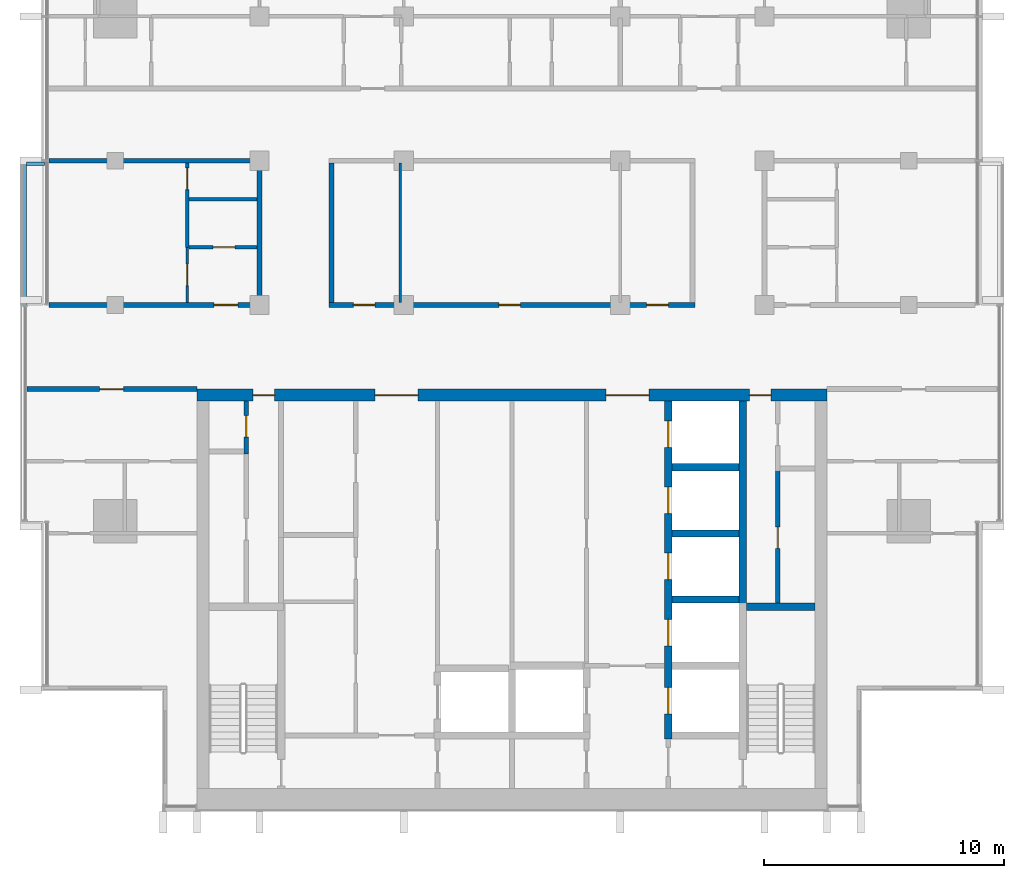
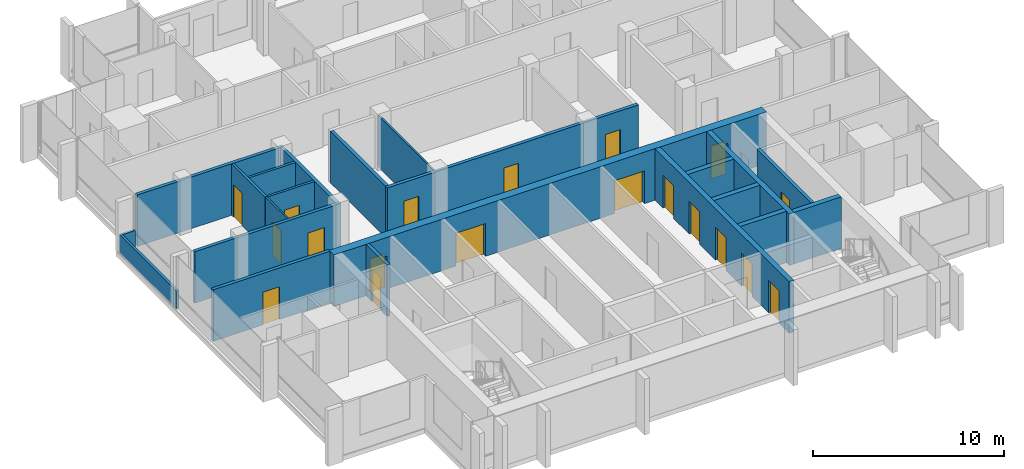
# One storey, part 8 of 16: 22 walls, 19 doors, 19 openings.
"""IFC4 building model written with IfcOpenShell, lengths in metres."""

from ifc_helpers import new_model, si_unit, direction, frame, frame_2d, origin, place, context, subcontext, project, spatial, rectangle, extrude, material, layer, layer_set, type_object, element, fill, save


model = new_model("IFC4")

# Units and contexts
model_context = context("Model", 3, precision=1e-05, world=origin(), true_north=direction((0.0, 1.0)))
body_context = subcontext(model_context, "Body", "Model", "MODEL_VIEW")
ifc_project = project(units=[si_unit("LENGTHUNIT", "METRE"), si_unit("AREAUNIT", "SQUARE_METRE"), si_unit("VOLUMEUNIT", "CUBIC_METRE"), si_unit("PLANEANGLEUNIT", "RADIAN"), si_unit("MASSUNIT", "GRAM", prefix="KILO")], contexts=[model_context])

# Site, building, storey
site_placement = place(None, origin())
site = spatial("IfcSite", under=ifc_project, at=site_placement, CompositionType="ELEMENT")
building_placement = place(site_placement, origin())
building = spatial("IfcBuilding", under=site, at=building_placement, Name="Finial Court Residences", CompositionType="ELEMENT")
storey_placement = place(building_placement, frame((0.0, 0.0, 277.10009765625)))
storey = spatial("IfcBuildingStorey", under=building, at=storey_placement, Name="L70", CompositionType="ELEMENT", Elevation=277.10009765625)

# Wall, openings, doors
ifc_material_1 = material(Name="Concrete C50/60", Category="concrete")
ifc_layer_1 = layer(ifc_material_1, 0.5)
ifc_layer_set_1 = layer_set([ifc_layer_1], Name="Core outer wall 500 Concrete C50/60")
wall_type_1 = type_object("IfcWallType", Name="Core outer wall 500 Concrete C50/60", PredefinedType="SHEAR", material=ifc_layer_set_1)
wall_1_placement = place(storey_placement, frame((-13.10009765625, -8.25, 0.0), z_axis=(0.0, 0.0, 1.0), x_axis=(1.0, 0.0, 0.0)))
wall_1 = element("IfcWall", 1, at=wall_1_placement, inside=storey, type_object=wall_type_1, Name="Core outer wall L70-02", PredefinedType="SHEAR", context=body_context, shape_type="SweptSolid", body=[
    extrude(rectangle(XDim=26.2001953125, YDim=0.5, at=frame_2d((13.10009765625, 0.0))), origin(), (0.0, 0.0, 1.0), 3.2998046875),
])
opening_1_placement = place(wall_1_placement, frame((7.39990234375, 0.0, 0.0)))
opening_1 = element("IfcOpeningElement", 2, at=opening_1_placement, cuts=wall_1, Name="Opening L70-C04", PredefinedType="OPENING", context=body_context, shape_type="SweptSolid", body=[
    extrude(rectangle(XDim=1.800048828125, YDim=2.10009765625, at=frame_2d((0.89990234375, 1.050048828125))), frame((0.0, 0.260009765625, 0.0), z_axis=(0.0, -1.0, 0.0), x_axis=(1.0, 0.0, 0.0)), (0.0, 0.0, 1.0), 0.52001953125),
])
opening_2_placement = place(wall_1_placement, frame((17.0, 0.0, 0.0)))
opening_2 = element("IfcOpeningElement", 3, at=opening_2_placement, cuts=wall_1, Name="Opening L70-C05", PredefinedType="OPENING", context=body_context, shape_type="SweptSolid", body=[
    extrude(rectangle(XDim=1.800048828125, YDim=2.10009765625, at=frame_2d((0.89990234375, 1.050048828125))), frame((0.0, 0.260009765625, 0.0), z_axis=(0.0, -1.0, 0.0), x_axis=(1.0, 0.0, 0.0)), (0.0, 0.0, 1.0), 0.52001953125),
])
opening_3_placement = place(wall_1_placement, frame((2.324951171875, 0.0, 0.0)))
opening_3 = element("IfcOpeningElement", 4, at=opening_3_placement, cuts=wall_1, Name="Opening L70-C10", PredefinedType="OPENING", context=body_context, shape_type="SweptSolid", body=[
    extrude(rectangle(XDim=0.89990234375, YDim=2.10009765625, at=frame_2d((0.449951171875, 1.050048828125))), frame((0.0, 0.260009765625, 0.0), z_axis=(0.0, -1.0, 0.0), x_axis=(1.0, 0.0, 0.0)), (0.0, 0.0, 1.0), 0.52001953125),
])
opening_4_placement = place(wall_1_placement, frame((22.97509765625, 0.0, 0.0)))
opening_4 = element("IfcOpeningElement", 5, at=opening_4_placement, cuts=wall_1, Name="Opening L70-C11", PredefinedType="OPENING", context=body_context, shape_type="SweptSolid", body=[
    extrude(rectangle(XDim=0.89990234375, YDim=2.10009765625, at=frame_2d((0.449951171875, 1.050048828125))), frame((0.0, 0.260009765625, 0.0), z_axis=(0.0, -1.0, 0.0), x_axis=(1.0, 0.0, 0.0)), (0.0, 0.0, 1.0), 0.52001953125),
])
ifc_material_2 = material(Name="Steel fire door", Category="steel")
door_type_1 = type_object("IfcDoorType", Name="Lift lobby door 1800 x 2100 EI 60", OperationType="DOUBLE_DOOR_SINGLE_SWING", PredefinedType="DOOR", material=ifc_material_2)
door_1_placement = place(opening_1_placement, origin())
door_1 = element("IfcDoor", 6, at=door_1_placement, inside=storey, type_object=door_type_1, Name="Lift lobby door L70-C04", OperationType="DOUBLE_DOOR_SINGLE_SWING", OverallHeight=2.10009765625, OverallWidth=1.800048828125, PredefinedType="DOOR", context=body_context, shape_type="SweptSolid", body=[
    extrude(rectangle(XDim=1.800048828125, YDim=2.10009765625, at=frame_2d((0.89990234375, 1.050048828125))), frame((0.0, 0.02490234375, 0.0), z_axis=(0.0, -1.0, 0.0), x_axis=(1.0, 0.0, 0.0)), (0.0, 0.0, 1.0), 0.050048828125),
])
fill(opening_1, door_1)
door_2_placement = place(opening_2_placement, origin())
door_2 = element("IfcDoor", 7, at=door_2_placement, inside=storey, type_object=door_type_1, Name="Lift lobby door L70-C05", OperationType="DOUBLE_DOOR_SINGLE_SWING", OverallHeight=2.10009765625, OverallWidth=1.800048828125, PredefinedType="DOOR", context=body_context, shape_type="SweptSolid", body=[
    extrude(rectangle(XDim=1.800048828125, YDim=2.10009765625, at=frame_2d((0.89990234375, 1.050048828125))), frame((0.0, 0.02490234375, 0.0), z_axis=(0.0, -1.0, 0.0), x_axis=(1.0, 0.0, 0.0)), (0.0, 0.0, 1.0), 0.050048828125),
])
fill(opening_2, door_2)
door_type_2 = type_object("IfcDoorType", Name="Riser room door 900 x 2100 EI 90", OperationType="NOTDEFINED", PredefinedType="DOOR", material=ifc_material_2)
door_3_placement = place(opening_3_placement, origin())
door_3 = element("IfcDoor", 8, at=door_3_placement, inside=storey, type_object=door_type_2, Name="Riser room door L70-C10", OperationType="SINGLE_SWING_RIGHT", OverallHeight=2.10009765625, OverallWidth=0.89990234375, PredefinedType="DOOR", context=body_context, shape_type="SweptSolid", body=[
    extrude(rectangle(XDim=0.89990234375, YDim=2.10009765625, at=frame_2d((0.449951171875, 1.050048828125))), frame((0.0, 0.02490234375, 0.0), z_axis=(0.0, -1.0, 0.0), x_axis=(1.0, 0.0, 0.0)), (0.0, 0.0, 1.0), 0.050048828125),
])
fill(opening_3, door_3)
door_4_placement = place(opening_4_placement, origin())
door_4 = element("IfcDoor", 9, at=door_4_placement, inside=storey, type_object=door_type_2, Name="Riser room door L70-C11", OperationType="SINGLE_SWING_LEFT", OverallHeight=2.10009765625, OverallWidth=0.89990234375, PredefinedType="DOOR", context=body_context, shape_type="SweptSolid", body=[
    extrude(rectangle(XDim=0.89990234375, YDim=2.10009765625, at=frame_2d((0.449951171875, 1.050048828125))), frame((0.0, 0.02490234375, 0.0), z_axis=(0.0, -1.0, 0.0), x_axis=(1.0, 0.0, 0.0)), (0.0, 0.0, 1.0), 0.050048828125),
])
fill(opening_4, door_4)

# Wall, opening, door
ifc_material_3 = material(Name="Gypsum board")
ifc_layer_2 = layer(ifc_material_3, 0.02490234375)
ifc_material_4 = material(Name="Acoustic mineral wool in double frame")
ifc_layer_3 = layer(ifc_material_4, 0.14990234375)
ifc_layer_4 = layer(ifc_material_3, 0.02490234375)
ifc_layer_set_2 = layer_set([ifc_layer_2, ifc_layer_3, ifc_layer_4], Name="Corridor wall 200, 1 hour")
wall_type_2 = type_object("IfcWallType", Name="Corridor wall 200, 1 hour", PredefinedType="PARTITIONING", material=ifc_layer_set_2)
wall_2_placement = place(storey_placement, frame((-20.16259765625, -8.0, 0.0), z_axis=(0.0, 0.0, 1.0), x_axis=(1.0, 0.0, 0.0)))
wall_2 = element("IfcWall", 10, at=wall_2_placement, inside=storey, type_object=wall_type_2, Name="Partition L70-004", PredefinedType="PARTITIONING", context=body_context, shape_type="SweptSolid", body=[
    extrude(rectangle(XDim=7.0625, YDim=0.199951171875, at=frame_2d((3.53125, 0.0))), origin(), (0.0, 0.0, 1.0), 3.2998046875),
])
opening_5_placement = place(wall_2_placement, frame((3.012939453125, 0.0, 0.0)))
opening_5 = element("IfcOpeningElement", 11, at=opening_5_placement, cuts=wall_2, Name="Opening L70-D007", PredefinedType="OPENING", context=body_context, shape_type="SweptSolid", body=[
    extrude(rectangle(XDim=1.0, YDim=2.10009765625, at=frame_2d((0.5, 1.050048828125))), frame((0.0, 0.10986328125, 0.0), z_axis=(0.0, -1.0, 0.0), x_axis=(1.0, 0.0, 0.0)), (0.0, 0.0, 1.0), 0.219970703125),
])
ifc_material_5 = material(Name="Timber door leaf in hollow metal frame", Category="wood")
door_type_3 = type_object("IfcDoorType", Name="Fire door set 1000 x 2100, 30 minutes", OperationType="SINGLE_SWING_LEFT", PredefinedType="DOOR", material=ifc_material_5)
door_5_placement = place(opening_5_placement, origin())
door_5 = element("IfcDoor", 12, at=door_5_placement, inside=storey, type_object=door_type_3, Name="Door L70-D007", OperationType="SINGLE_SWING_RIGHT", OverallHeight=2.10009765625, OverallWidth=1.0, PredefinedType="DOOR", context=body_context, shape_type="SweptSolid", body=[
    extrude(rectangle(XDim=1.0, YDim=2.10009765625, at=frame_2d((0.5, 1.050048828125))), frame((0.0, 0.02490234375, 0.0), z_axis=(0.0, -1.0, 0.0), x_axis=(1.0, 0.0, 0.0)), (0.0, 0.0, 1.0), 0.050048828125),
])
fill(opening_5, door_5)

wall_3_placement = place(storey_placement, frame((-19.262451171875, -4.5, 0.0), z_axis=(0.0, 0.0, 1.0), x_axis=(1.0, 0.0, 0.0)))
wall_3 = element("IfcWall", 13, at=wall_3_placement, inside=storey, type_object=wall_type_2, Name="Partition L70-006", PredefinedType="PARTITIONING", context=body_context, shape_type="SweptSolid", body=[
    extrude(rectangle(XDim=8.862548828125, YDim=0.199951171875, at=frame_2d((4.43115234375, 0.0))), origin(), (0.0, 0.0, 1.0), 3.2998046875),
])
opening_6_placement = place(wall_3_placement, frame((6.862060546875, 0.0, 0.0)))
opening_6 = element("IfcOpeningElement", 14, at=opening_6_placement, cuts=wall_3, Name="Opening L70-D009", PredefinedType="OPENING", context=body_context, shape_type="SweptSolid", body=[
    extrude(rectangle(XDim=1.0, YDim=2.10009765625, at=frame_2d((0.5, 1.050048828125))), frame((0.0, 0.10986328125, 0.0), z_axis=(0.0, -1.0, 0.0), x_axis=(1.0, 0.0, 0.0)), (0.0, 0.0, 1.0), 0.219970703125),
])
door_6_placement = place(opening_6_placement, origin())
door_6 = element("IfcDoor", 15, at=door_6_placement, inside=storey, type_object=door_type_3, Name="Door L70-D009", OperationType="SINGLE_SWING_LEFT", OverallHeight=2.10009765625, OverallWidth=1.0, PredefinedType="DOOR", context=body_context, shape_type="SweptSolid", body=[
    extrude(rectangle(XDim=1.0, YDim=2.10009765625, at=frame_2d((0.5, 1.050048828125))), frame((0.0, 0.02490234375, 0.0), z_axis=(0.0, -1.0, 0.0), x_axis=(1.0, 0.0, 0.0)), (0.0, 0.0, 1.0), 0.050048828125),
])
fill(opening_6, door_6)

# Wall, openings, doors
wall_4_placement = place(storey_placement, frame((-7.60009765625, -4.5, 0.0), z_axis=(0.0, 0.0, 1.0), x_axis=(1.0, 0.0, 0.0)))
wall_4 = element("IfcWall", 16, at=wall_4_placement, inside=storey, type_object=wall_type_2, Name="Partition L70-007", PredefinedType="PARTITIONING", context=body_context, shape_type="SweptSolid", body=[
    extrude(rectangle(XDim=15.2001953125, YDim=0.199951171875, at=frame_2d((7.60009765625, 0.0))), origin(), (0.0, 0.0, 1.0), 3.2998046875),
])
opening_7_placement = place(wall_4_placement, frame((1.0, 0.0, 0.0)))
opening_7 = element("IfcOpeningElement", 17, at=opening_7_placement, cuts=wall_4, Name="Opening L70-D010", PredefinedType="OPENING", context=body_context, shape_type="SweptSolid", body=[
    extrude(rectangle(XDim=0.89990234375, YDim=2.10009765625, at=frame_2d((0.449951171875, 1.050048828125))), frame((0.0, 0.10986328125, 0.0), z_axis=(0.0, -1.0, 0.0), x_axis=(1.0, 0.0, 0.0)), (0.0, 0.0, 1.0), 0.219970703125),
])
opening_8_placement = place(wall_4_placement, frame((7.050048828125, 0.0, 0.0)))
opening_8 = element("IfcOpeningElement", 18, at=opening_8_placement, cuts=wall_4, Name="Opening L70-D011", PredefinedType="OPENING", context=body_context, shape_type="SweptSolid", body=[
    extrude(rectangle(XDim=0.89990234375, YDim=2.10009765625, at=frame_2d((0.449951171875, 1.050048828125))), frame((0.0, 0.10986328125, 0.0), z_axis=(0.0, -1.0, 0.0), x_axis=(1.0, 0.0, 0.0)), (0.0, 0.0, 1.0), 0.219970703125),
])
opening_9_placement = place(wall_4_placement, frame((13.199951171875, 0.0, 0.0)))
opening_9 = element("IfcOpeningElement", 19, at=opening_9_placement, cuts=wall_4, Name="Opening L70-D012", PredefinedType="OPENING", context=body_context, shape_type="SweptSolid", body=[
    extrude(rectangle(XDim=0.89990234375, YDim=2.10009765625, at=frame_2d((0.449951171875, 1.050048828125))), frame((0.0, 0.10986328125, 0.0), z_axis=(0.0, -1.0, 0.0), x_axis=(1.0, 0.0, 0.0)), (0.0, 0.0, 1.0), 0.219970703125),
])
door_type_4 = type_object("IfcDoorType", Name="Fire door set 900 x 2100, 30 minutes", OperationType="SINGLE_SWING_LEFT", PredefinedType="DOOR", material=ifc_material_5)
door_7_placement = place(opening_7_placement, origin())
door_7 = element("IfcDoor", 20, at=door_7_placement, inside=storey, type_object=door_type_4, Name="Door L70-D010", OperationType="SINGLE_SWING_RIGHT", OverallHeight=2.10009765625, OverallWidth=0.89990234375, PredefinedType="DOOR", context=body_context, shape_type="SweptSolid", body=[
    extrude(rectangle(XDim=0.89990234375, YDim=2.10009765625, at=frame_2d((0.449951171875, 1.050048828125))), frame((0.0, 0.02490234375, 0.0), z_axis=(0.0, -1.0, 0.0), x_axis=(1.0, 0.0, 0.0)), (0.0, 0.0, 1.0), 0.050048828125),
])
fill(opening_7, door_7)
door_8_placement = place(opening_8_placement, origin())
door_8 = element("IfcDoor", 21, at=door_8_placement, inside=storey, type_object=door_type_4, Name="Door L70-D011", OperationType="SINGLE_SWING_RIGHT", OverallHeight=2.10009765625, OverallWidth=0.89990234375, PredefinedType="DOOR", context=body_context, shape_type="SweptSolid", body=[
    extrude(rectangle(XDim=0.89990234375, YDim=2.10009765625, at=frame_2d((0.449951171875, 1.050048828125))), frame((0.0, 0.02490234375, 0.0), z_axis=(0.0, -1.0, 0.0), x_axis=(1.0, 0.0, 0.0)), (0.0, 0.0, 1.0), 0.050048828125),
])
fill(opening_8, door_8)
door_9_placement = place(opening_9_placement, origin())
door_9 = element("IfcDoor", 22, at=door_9_placement, inside=storey, type_object=door_type_4, Name="Door L70-D012", OperationType="SINGLE_SWING_LEFT", OverallHeight=2.10009765625, OverallWidth=0.89990234375, PredefinedType="DOOR", context=body_context, shape_type="SweptSolid", body=[
    extrude(rectangle(XDim=0.89990234375, YDim=2.10009765625, at=frame_2d((0.449951171875, 1.050048828125))), frame((0.0, 0.02490234375, 0.0), z_axis=(0.0, -1.0, 0.0), x_axis=(1.0, 0.0, 0.0)), (0.0, 0.0, 1.0), 0.050048828125),
])
fill(opening_9, door_9)

# Walls
wall_5_placement = place(storey_placement, frame((-19.262451171875, 1.5, 0.0), z_axis=(0.0, 0.0, 1.0), x_axis=(1.0, 0.0, 0.0)))
element("IfcWall", 23, at=wall_5_placement, inside=storey, type_object=wall_type_2, Name="Partition L70-013", PredefinedType="PARTITIONING", context=body_context, shape_type="SweptSolid", body=[
    extrude(rectangle(XDim=8.862548828125, YDim=0.199951171875, at=frame_2d((4.43115234375, 0.0))), origin(), (0.0, 0.0, 1.0), 3.2998046875),
])
for number, where, z_axis, x_axis, name in (
    (24, (-10.5, -4.39990234375, 0.0), (0.0, 0.0, 1.0), (0.0, 1.0, 0.0), "Partition L70-035"),
    (25, (-7.5, -4.39990234375, 0.0), (0.0, 0.0, 1.0), (0.0, 1.0, 0.0), "Partition L70-037"),
):
    element("IfcWall", number, at=place(storey_placement, frame(where, z_axis=z_axis, x_axis=x_axis)), inside=storey, type_object=wall_type_2, Name=name, PredefinedType="PARTITIONING", context=body_context, shape_type="SweptSolid", body=[
        extrude(rectangle(XDim=5.7998046875, YDim=0.199951171875, at=frame_2d((2.89990234375, 0.0))), origin(), (0.0, 0.0, 1.0), 3.2998046875),
    ])

# Wall, opening, door
ifc_layer_5 = layer(ifc_material_3, 0.012451171875)
ifc_material_6 = material(Name="Mineral wool in light-gauge frame")
ifc_layer_6 = layer(ifc_material_6, 0.074951171875)
ifc_layer_7 = layer(ifc_material_3, 0.012451171875)
ifc_layer_set_3 = layer_set([ifc_layer_5, ifc_layer_6, ifc_layer_7], Name="Gypsum board partition 100")
wall_type_3 = type_object("IfcWallType", Name="Gypsum board partition 100", PredefinedType="PARTITIONING", material=ifc_layer_set_3)
wall_6_placement = place(storey_placement, frame((-13.5, -4.39990234375, 0.0), z_axis=(0.0, 0.0, 1.0), x_axis=(0.0, 1.0, 0.0)))
wall_6 = element("IfcWall", 26, at=wall_6_placement, inside=storey, type_object=wall_type_3, Name="Partition L70-033", PredefinedType="PARTITIONING", context=body_context, shape_type="SweptSolid", body=[
    extrude(rectangle(XDim=2.2998046875, YDim=0.10009765625, at=frame_2d((1.14990234375, 0.0))), origin(), (0.0, 0.0, 1.0), 3.2998046875),
])
opening_10_placement = place(wall_6_placement, frame((0.699951171875, 0.0, 0.0)))
opening_10 = element("IfcOpeningElement", 27, at=opening_10_placement, cuts=wall_6, Name="Opening L70-D026", PredefinedType="OPENING", context=body_context, shape_type="SweptSolid", body=[
    extrude(rectangle(XDim=0.89990234375, YDim=2.10009765625, at=frame_2d((0.449951171875, 1.050048828125))), frame((0.0, 0.06005859375, 0.0), z_axis=(0.0, -1.0, 0.0), x_axis=(1.0, 0.0, 0.0)), (0.0, 0.0, 1.0), 0.1201171875),
])
ifc_material_7 = material(Name="Timber door leaf in timber frame", Category="wood")
door_type_5 = type_object("IfcDoorType", Name="Door set 900 x 2100", OperationType="SINGLE_SWING_LEFT", PredefinedType="DOOR", material=ifc_material_7)
door_10_placement = place(opening_10_placement, origin())
door_10 = element("IfcDoor", 28, at=door_10_placement, inside=storey, type_object=door_type_5, Name="Door L70-D026", OperationType="SINGLE_SWING_LEFT", OverallHeight=2.10009765625, OverallWidth=0.89990234375, PredefinedType="DOOR", context=body_context, shape_type="SweptSolid", body=[
    extrude(rectangle(XDim=0.89990234375, YDim=2.10009765625, at=frame_2d((0.449951171875, 1.050048828125))), frame((0.0, 0.02490234375, 0.0), z_axis=(0.0, -1.0, 0.0), x_axis=(1.0, 0.0, 0.0)), (0.0, 0.0, 1.0), 0.050048828125),
])
fill(opening_10, door_10)

# Wall
wall_7_placement = place(storey_placement, frame((-4.64990234375, -4.39990234375, 0.0), z_axis=(0.0, 0.0, 1.0), x_axis=(0.0, 1.0, 0.0)))
element("IfcWall", 29, at=wall_7_placement, inside=storey, type_object=wall_type_3, Name="Partition L70-039", PredefinedType="PARTITIONING", context=body_context, shape_type="SweptSolid", body=[
    extrude(rectangle(XDim=5.7998046875, YDim=0.10009765625, at=frame_2d((2.89990234375, 0.0))), origin(), (0.0, 0.0, 1.0), 3.2998046875),
])

# Wall, opening, door
ifc_material_8 = material(Name="Moisture-resistant gypsum board")
ifc_layer_8 = layer(ifc_material_8, 0.012451171875)
ifc_layer_9 = layer(ifc_material_6, 0.125)
ifc_layer_10 = layer(ifc_material_8, 0.012451171875)
ifc_layer_set_4 = layer_set([ifc_layer_8, ifc_layer_9, ifc_layer_10], Name="Gypsum board wet-area partition 150")
wall_type_4 = type_object("IfcWallType", Name="Gypsum board wet-area partition 150", PredefinedType="PARTITIONING", material=ifc_layer_set_4)
wall_8_placement = place(storey_placement, frame((-13.425048828125, -2.10009765625, 0.0), z_axis=(0.0, 0.0, 1.0), x_axis=(1.0, 0.0, 0.0)))
wall_8 = element("IfcWall", 30, at=wall_8_placement, inside=storey, type_object=wall_type_4, Name="Partition L70-009", PredefinedType="PARTITIONING", context=body_context, shape_type="SweptSolid", body=[
    extrude(rectangle(XDim=2.824951171875, YDim=0.14990234375, at=frame_2d((1.41259765625, 0.0))), origin(), (0.0, 0.0, 1.0), 3.2998046875),
])
opening_11_placement = place(wall_8_placement, frame((1.0, 0.0, 0.0)))
opening_11 = element("IfcOpeningElement", 31, at=opening_11_placement, cuts=wall_8, Name="Opening L70-D014", PredefinedType="OPENING", context=body_context, shape_type="SweptSolid", body=[
    extrude(rectangle(XDim=0.89990234375, YDim=2.10009765625, at=frame_2d((0.449951171875, 1.050048828125))), frame((0.0, 0.0849609375, 0.0), z_axis=(0.0, -1.0, 0.0), x_axis=(1.0, 0.0, 0.0)), (0.0, 0.0, 1.0), 0.169921875),
])
door_11_placement = place(opening_11_placement, origin())
door_11 = element("IfcDoor", 32, at=door_11_placement, inside=storey, type_object=door_type_5, Name="Door L70-D014", OperationType="SINGLE_SWING_RIGHT", OverallHeight=2.10009765625, OverallWidth=0.89990234375, PredefinedType="DOOR", context=body_context, shape_type="SweptSolid", body=[
    extrude(rectangle(XDim=0.89990234375, YDim=2.10009765625, at=frame_2d((0.449951171875, 1.050048828125))), frame((0.0, 0.02490234375, 0.0), z_axis=(0.0, -1.0, 0.0), x_axis=(1.0, 0.0, 0.0)), (0.0, 0.0, 1.0), 0.050048828125),
])
fill(opening_11, door_11)

# Wall
wall_9_placement = place(storey_placement, frame((-13.425048828125, -0.10009765625, 0.0), z_axis=(0.0, 0.0, 1.0), x_axis=(1.0, 0.0, 0.0)))
element("IfcWall", 33, at=wall_9_placement, inside=storey, type_object=wall_type_4, Name="Partition L70-011", PredefinedType="PARTITIONING", context=body_context, shape_type="SweptSolid", body=[
    extrude(rectangle(XDim=2.824951171875, YDim=0.14990234375, at=frame_2d((1.41259765625, 0.0))), origin(), (0.0, 0.0, 1.0), 3.2998046875),
])

# Wall, opening, door
wall_10_placement = place(storey_placement, frame((-13.5, -2.10009765625, 0.0), z_axis=(0.0, 0.0, 1.0), x_axis=(0.0, 1.0, 0.0)))
wall_10 = element("IfcWall", 34, at=wall_10_placement, inside=storey, type_object=wall_type_4, Name="Partition L70-034", PredefinedType="PARTITIONING", context=body_context, shape_type="SweptSolid", body=[
    extrude(rectangle(XDim=3.5, YDim=0.14990234375, at=frame_2d((1.75, 0.0))), origin(), (0.0, 0.0, 1.0), 3.2998046875),
])
opening_12_placement = place(wall_10_placement, frame((2.39990234375, 0.0, 0.0)))
opening_12 = element("IfcOpeningElement", 35, at=opening_12_placement, cuts=wall_10, Name="Opening L70-D027", PredefinedType="OPENING", context=body_context, shape_type="SweptSolid", body=[
    extrude(rectangle(XDim=0.89990234375, YDim=2.10009765625, at=frame_2d((0.449951171875, 1.050048828125))), frame((0.0, 0.0849609375, 0.0), z_axis=(0.0, -1.0, 0.0), x_axis=(1.0, 0.0, 0.0)), (0.0, 0.0, 1.0), 0.169921875),
])
door_12_placement = place(opening_12_placement, origin())
door_12 = element("IfcDoor", 36, at=door_12_placement, inside=storey, type_object=door_type_5, Name="Door L70-D027", OperationType="SINGLE_SWING_RIGHT", OverallHeight=2.10009765625, OverallWidth=0.89990234375, PredefinedType="DOOR", context=body_context, shape_type="SweptSolid", body=[
    extrude(rectangle(XDim=0.89990234375, YDim=2.10009765625, at=frame_2d((0.449951171875, 1.050048828125))), frame((0.0, 0.02490234375, 0.0), z_axis=(0.0, -1.0, 0.0), x_axis=(1.0, 0.0, 0.0)), (0.0, 0.0, 1.0), 0.050048828125),
])
fill(opening_12, door_12)

# Walls
ifc_material_9 = material(Name="Concrete C35/45", Category="concrete")
ifc_layer_11 = layer(ifc_material_9, 0.14990234375)
ifc_layer_set_5 = layer_set([ifc_layer_11], Name="Ledge parapet, Concrete C35/45 150")
wall_type_5 = type_object("IfcWallType", Name="Ledge parapet, Concrete C35/45 150", PredefinedType="PARAPET", material=ifc_layer_set_5)
wall_11_placement = place(storey_placement, frame((-20.27490234375, -4.552490234375, 0.0), z_axis=(0.0, 0.0, 1.0), x_axis=(0.0, 1.0, 0.0)))
element("IfcWall", 37, at=wall_11_placement, inside=storey, type_object=wall_type_5, Name="E-L70-LED1-P1", PredefinedType="PARAPET", context=body_context, shape_type="SweptSolid", body=[
    extrude(rectangle(XDim=6.00244140625, YDim=0.14990234375, at=frame_2d((3.001220703125, 0.0))), origin(), (0.0, 0.0, 1.0), 1.14990234375),
])
wall_12_placement = place(storey_placement, frame((-20.199951171875, 1.375, 0.0), z_axis=(0.0, 0.0, 1.0), x_axis=(1.0, 0.0, 0.0)))
element("IfcWall", 38, at=wall_12_placement, inside=storey, type_object=wall_type_5, Name="E-L70-LED1-P2", PredefinedType="PARAPET", context=body_context, shape_type="SweptSolid", body=[
    extrude(rectangle(XDim=0.75244140625, YDim=0.14990234375, at=frame_2d((0.376220703125, 0.0))), origin(), (0.0, 0.0, 1.0), 1.14990234375),
])
ifc_layer_12 = layer(ifc_material_1, 0.300048828125)
ifc_layer_set_6 = layer_set([ifc_layer_12], Name="Lift shaft and stair wall 300 Concrete C50/60")
wall_type_6 = type_object("IfcWallType", Name="Lift shaft and stair wall 300 Concrete C50/60", PredefinedType="SHEAR", material=ifc_layer_set_6)
wall_13_placement = place(storey_placement, frame((9.75, -17.050048828125, 0.0), z_axis=(0.0, 0.0, 1.0), x_axis=(1.0, 0.0, 0.0)))
element("IfcWall", 39, at=wall_13_placement, inside=storey, type_object=wall_type_6, Name="Core wall L70-09", PredefinedType="SHEAR", context=body_context, shape_type="SweptSolid", body=[
    extrude(rectangle(XDim=2.85009765625, YDim=0.300048828125, at=frame_2d((1.425048828125, 0.0))), origin(), (0.0, 0.0, 1.0), 3.2998046875),
])
for number, where, z_axis, x_axis, name in (
    (40, (6.64990234375, -16.75, 0.0), (0.0, 0.0, 1.0), (1.0, 0.0, 0.0), "Core wall L70-11"),
    (41, (6.64990234375, -14.0, 0.0), (0.0, 0.0, 1.0), (1.0, 0.0, 0.0), "Core wall L70-13"),
    (42, (6.64990234375, -11.25, 0.0), (0.0, 0.0, 1.0), (1.0, 0.0, 0.0), "Core wall L70-15"),
):
    element("IfcWall", number, at=place(storey_placement, frame(where, z_axis=z_axis, x_axis=x_axis)), inside=storey, type_object=wall_type_6, Name=name, PredefinedType="SHEAR", context=body_context, shape_type="SweptSolid", body=[
        extrude(rectangle(XDim=2.800048828125, YDim=0.300048828125, at=frame_2d((1.39990234375, 0.0))), origin(), (0.0, 0.0, 1.0), 3.2998046875),
    ])

# Wall, openings, doors
wall_14_placement = place(storey_placement, frame((6.5, -22.550048828125, 0.0), z_axis=(0.0, 0.0, 1.0), x_axis=(0.0, 1.0, 0.0)))
wall_14 = element("IfcWall", 43, at=wall_14_placement, inside=storey, type_object=wall_type_6, Name="Core wall L70-34", PredefinedType="SHEAR", context=body_context, shape_type="SweptSolid", body=[
    extrude(rectangle(XDim=14.050048828125, YDim=0.300048828125, at=frame_2d((7.02490234375, 0.0))), origin(), (0.0, 0.0, 1.0), 3.2998046875),
])
opening_13_placement = place(wall_14_placement, frame((1.050048828125, 0.0, 0.0)))
opening_13 = element("IfcOpeningElement", 44, at=opening_13_placement, cuts=wall_14, Name="Opening L70-LD02", PredefinedType="OPENING", context=body_context, shape_type="SweptSolid", body=[
    extrude(rectangle(XDim=1.10009765625, YDim=2.10009765625, at=frame_2d((0.550048828125, 1.050048828125))), frame((0.0, 0.159912109375, 0.0), z_axis=(0.0, -1.0, 0.0), x_axis=(1.0, 0.0, 0.0)), (0.0, 0.0, 1.0), 0.320068359375),
])
opening_14_placement = place(wall_14_placement, frame((3.875, 0.0, 0.0)))
opening_14 = element("IfcOpeningElement", 45, at=opening_14_placement, cuts=wall_14, Name="Opening L70-LD03", PredefinedType="OPENING", context=body_context, shape_type="SweptSolid", body=[
    extrude(rectangle(XDim=1.10009765625, YDim=2.10009765625, at=frame_2d((0.550048828125, 1.050048828125))), frame((0.0, 0.159912109375, 0.0), z_axis=(0.0, -1.0, 0.0), x_axis=(1.0, 0.0, 0.0)), (0.0, 0.0, 1.0), 0.320068359375),
])
opening_15_placement = place(wall_14_placement, frame((6.625, 0.0, 0.0)))
opening_15 = element("IfcOpeningElement", 46, at=opening_15_placement, cuts=wall_14, Name="Opening L70-LD04", PredefinedType="OPENING", context=body_context, shape_type="SweptSolid", body=[
    extrude(rectangle(XDim=1.10009765625, YDim=2.10009765625, at=frame_2d((0.550048828125, 1.050048828125))), frame((0.0, 0.159912109375, 0.0), z_axis=(0.0, -1.0, 0.0), x_axis=(1.0, 0.0, 0.0)), (0.0, 0.0, 1.0), 0.320068359375),
])
opening_16_placement = place(wall_14_placement, frame((9.375, 0.0, 0.0)))
opening_16 = element("IfcOpeningElement", 47, at=opening_16_placement, cuts=wall_14, Name="Opening L70-LD05", PredefinedType="OPENING", context=body_context, shape_type="SweptSolid", body=[
    extrude(rectangle(XDim=1.10009765625, YDim=2.10009765625, at=frame_2d((0.550048828125, 1.050048828125))), frame((0.0, 0.159912109375, 0.0), z_axis=(0.0, -1.0, 0.0), x_axis=(1.0, 0.0, 0.0)), (0.0, 0.0, 1.0), 0.320068359375),
])
opening_17_placement = place(wall_14_placement, frame((12.125, 0.0, 0.0)))
opening_17 = element("IfcOpeningElement", 48, at=opening_17_placement, cuts=wall_14, Name="Opening L70-LD06", PredefinedType="OPENING", context=body_context, shape_type="SweptSolid", body=[
    extrude(rectangle(XDim=1.10009765625, YDim=2.10009765625, at=frame_2d((0.550048828125, 1.050048828125))), frame((0.0, 0.159912109375, 0.0), z_axis=(0.0, -1.0, 0.0), x_axis=(1.0, 0.0, 0.0)), (0.0, 0.0, 1.0), 0.320068359375),
])
ifc_material_10 = material(Name="Stainless steel lift door", Category="steel")
door_type_6 = type_object("IfcDoorType", Name="Lift landing door 1100 x 2100 EI 90", OperationType="DOUBLE_DOOR_SLIDING", PredefinedType="DOOR", material=ifc_material_10)
door_13_placement = place(opening_13_placement, origin())
door_13 = element("IfcDoor", 49, at=door_13_placement, inside=storey, type_object=door_type_6, Name="Lift landing door FF2 L70", OperationType="DOUBLE_DOOR_SLIDING", OverallHeight=2.10009765625, OverallWidth=1.10009765625, PredefinedType="DOOR", context=body_context, shape_type="SweptSolid", body=[
    extrude(rectangle(XDim=1.10009765625, YDim=2.10009765625, at=frame_2d((0.550048828125, 1.050048828125))), frame((0.0, 0.02490234375, 0.0), z_axis=(0.0, -1.0, 0.0), x_axis=(1.0, 0.0, 0.0)), (0.0, 0.0, 1.0), 0.050048828125),
])
fill(opening_13, door_13)
door_14_placement = place(opening_14_placement, origin())
door_14 = element("IfcDoor", 50, at=door_14_placement, inside=storey, type_object=door_type_6, Name="Lift landing door HR5 L70", OperationType="DOUBLE_DOOR_SLIDING", OverallHeight=2.10009765625, OverallWidth=1.10009765625, PredefinedType="DOOR", context=body_context, shape_type="SweptSolid", body=[
    extrude(rectangle(XDim=1.10009765625, YDim=2.10009765625, at=frame_2d((0.550048828125, 1.050048828125))), frame((0.0, 0.02490234375, 0.0), z_axis=(0.0, -1.0, 0.0), x_axis=(1.0, 0.0, 0.0)), (0.0, 0.0, 1.0), 0.050048828125),
])
fill(opening_14, door_14)
door_15_placement = place(opening_15_placement, origin())
door_15 = element("IfcDoor", 51, at=door_15_placement, inside=storey, type_object=door_type_6, Name="Lift landing door HR6 L70", OperationType="DOUBLE_DOOR_SLIDING", OverallHeight=2.10009765625, OverallWidth=1.10009765625, PredefinedType="DOOR", context=body_context, shape_type="SweptSolid", body=[
    extrude(rectangle(XDim=1.10009765625, YDim=2.10009765625, at=frame_2d((0.550048828125, 1.050048828125))), frame((0.0, 0.02490234375, 0.0), z_axis=(0.0, -1.0, 0.0), x_axis=(1.0, 0.0, 0.0)), (0.0, 0.0, 1.0), 0.050048828125),
])
fill(opening_15, door_15)
door_16_placement = place(opening_16_placement, origin())
door_16 = element("IfcDoor", 52, at=door_16_placement, inside=storey, type_object=door_type_6, Name="Lift landing door HR7 L70", OperationType="DOUBLE_DOOR_SLIDING", OverallHeight=2.10009765625, OverallWidth=1.10009765625, PredefinedType="DOOR", context=body_context, shape_type="SweptSolid", body=[
    extrude(rectangle(XDim=1.10009765625, YDim=2.10009765625, at=frame_2d((0.550048828125, 1.050048828125))), frame((0.0, 0.02490234375, 0.0), z_axis=(0.0, -1.0, 0.0), x_axis=(1.0, 0.0, 0.0)), (0.0, 0.0, 1.0), 0.050048828125),
])
fill(opening_16, door_16)
door_17_placement = place(opening_17_placement, origin())
door_17 = element("IfcDoor", 53, at=door_17_placement, inside=storey, type_object=door_type_6, Name="Lift landing door HR8 L70", OperationType="DOUBLE_DOOR_SLIDING", OverallHeight=2.10009765625, OverallWidth=1.10009765625, PredefinedType="DOOR", context=body_context, shape_type="SweptSolid", body=[
    extrude(rectangle(XDim=1.10009765625, YDim=2.10009765625, at=frame_2d((0.550048828125, 1.050048828125))), frame((0.0, 0.02490234375, 0.0), z_axis=(0.0, -1.0, 0.0), x_axis=(1.0, 0.0, 0.0)), (0.0, 0.0, 1.0), 0.050048828125),
])
fill(opening_17, door_17)

# Wall
wall_15_placement = place(storey_placement, frame((9.60009765625, -17.199951171875, 0.0), z_axis=(0.0, 0.0, 1.0), x_axis=(0.0, 1.0, 0.0)))
element("IfcWall", 54, at=wall_15_placement, inside=storey, type_object=wall_type_6, Name="Core wall L70-36", PredefinedType="SHEAR", context=body_context, shape_type="SweptSolid", body=[
    extrude(rectangle(XDim=8.699951171875, YDim=0.300048828125, at=frame_2d((4.35009765625, 0.0))), origin(), (0.0, 0.0, 1.0), 3.2998046875),
])

# Wall, opening, door
ifc_material_11 = material(Name="Fire-rated gypsum board partition")
ifc_layer_13 = layer(ifc_material_11, 0.199951171875)
ifc_layer_set_7 = layer_set([ifc_layer_13], Name="Riser room wall 200 EI 120")
wall_type_7 = type_object("IfcWallType", Name="Riser room wall 200 EI 120", PredefinedType="PARTITIONING", material=ifc_layer_set_7)
wall_16_placement = place(storey_placement, frame((-11.050048828125, -10.699951171875, 0.0), z_axis=(0.0, 0.0, 1.0), x_axis=(0.0, 1.0, 0.0)))
wall_16 = element("IfcWall", 55, at=wall_16_placement, inside=storey, type_object=wall_type_7, Name="Core partition L70-18", PredefinedType="PARTITIONING", context=body_context, shape_type="SweptSolid", body=[
    extrude(rectangle(XDim=2.199951171875, YDim=0.199951171875, at=frame_2d((1.10009765625, 0.0))), origin(), (0.0, 0.0, 1.0), 3.2998046875),
])
opening_18_placement = place(wall_16_placement, frame((0.699951171875, 0.0, 0.0)))
opening_18 = element("IfcOpeningElement", 56, at=opening_18_placement, cuts=wall_16, Name="Opening L70-C07", PredefinedType="OPENING", context=body_context, shape_type="SweptSolid", body=[
    extrude(rectangle(XDim=0.89990234375, YDim=2.10009765625, at=frame_2d((0.449951171875, 1.050048828125))), frame((0.0, 0.10986328125, 0.0), z_axis=(0.0, -1.0, 0.0), x_axis=(1.0, 0.0, 0.0)), (0.0, 0.0, 1.0), 0.219970703125),
])
door_18_placement = place(opening_18_placement, origin())
door_18 = element("IfcDoor", 57, at=door_18_placement, inside=storey, type_object=door_type_2, Name="Riser room door L70-C07", OperationType="SINGLE_SWING_LEFT", OverallHeight=2.10009765625, OverallWidth=0.89990234375, PredefinedType="DOOR", context=body_context, shape_type="SweptSolid", body=[
    extrude(rectangle(XDim=0.89990234375, YDim=2.10009765625, at=frame_2d((0.449951171875, 1.050048828125))), frame((0.0, 0.02490234375, 0.0), z_axis=(0.0, -1.0, 0.0), x_axis=(1.0, 0.0, 0.0)), (0.0, 0.0, 1.0), 0.050048828125),
])
fill(opening_18, door_18)

ifc_layer_14 = layer(ifc_material_11, 0.199951171875)
ifc_layer_set_8 = layer_set([ifc_layer_14], Name="Stair passage wall 200 EI 180")
wall_type_8 = type_object("IfcWallType", Name="Stair passage wall 200 EI 180", PredefinedType="PARTITIONING", material=ifc_layer_set_8)
wall_17_placement = place(storey_placement, frame((11.050048828125, -11.199951171875, 0.0), z_axis=(0.0, 0.0, 1.0), x_axis=(0.0, -1.0, 0.0)))
wall_17 = element("IfcWall", 58, at=wall_17_placement, inside=storey, type_object=wall_type_8, Name="Core partition L70-37", PredefinedType="PARTITIONING", context=body_context, shape_type="SweptSolid", body=[
    extrude(rectangle(XDim=5.699951171875, YDim=0.199951171875, at=frame_2d((2.85009765625, 0.0))), origin(), (0.0, 0.0, 1.0), 3.2998046875),
])
opening_19_placement = place(wall_17_placement, frame((2.52490234375, 0.0, 0.0)))
opening_19 = element("IfcOpeningElement", 59, at=opening_19_placement, cuts=wall_17, Name="Opening L70-C14", PredefinedType="OPENING", context=body_context, shape_type="SweptSolid", body=[
    extrude(rectangle(XDim=0.89990234375, YDim=2.10009765625, at=frame_2d((0.449951171875, 1.050048828125))), frame((0.0, 0.10986328125, 0.0), z_axis=(0.0, -1.0, 0.0), x_axis=(1.0, 0.0, 0.0)), (0.0, 0.0, 1.0), 0.219970703125),
])
door_type_7 = type_object("IfcDoorType", Name="Core room door 900 x 2100 EI 60", OperationType="NOTDEFINED", PredefinedType="DOOR", material=ifc_material_2)
door_19_placement = place(opening_19_placement, origin())
door_19 = element("IfcDoor", 60, at=door_19_placement, inside=storey, type_object=door_type_7, Name="Core room door L70-C14", OperationType="SINGLE_SWING_RIGHT", OverallHeight=2.10009765625, OverallWidth=0.89990234375, PredefinedType="DOOR", context=body_context, shape_type="SweptSolid", body=[
    extrude(rectangle(XDim=0.89990234375, YDim=2.10009765625, at=frame_2d((0.449951171875, 1.050048828125))), frame((0.0, 0.02490234375, 0.0), z_axis=(0.0, -1.0, 0.0), x_axis=(1.0, 0.0, 0.0)), (0.0, 0.0, 1.0), 0.050048828125),
])
fill(opening_19, door_19)

save(model, "model.ifc")
